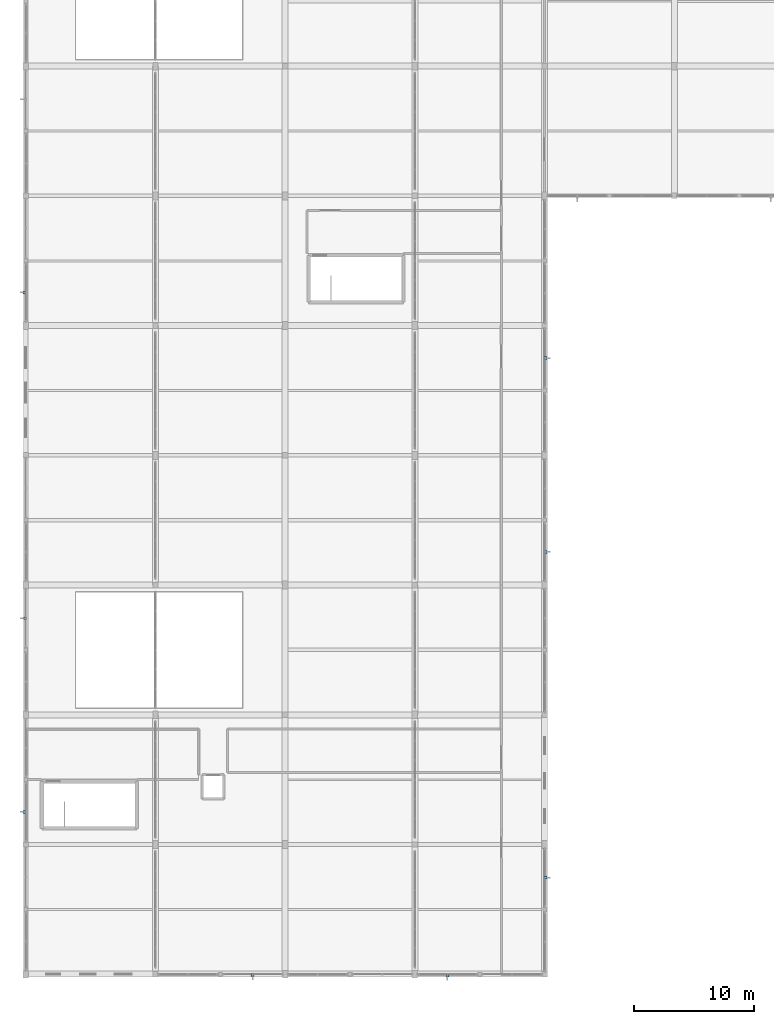
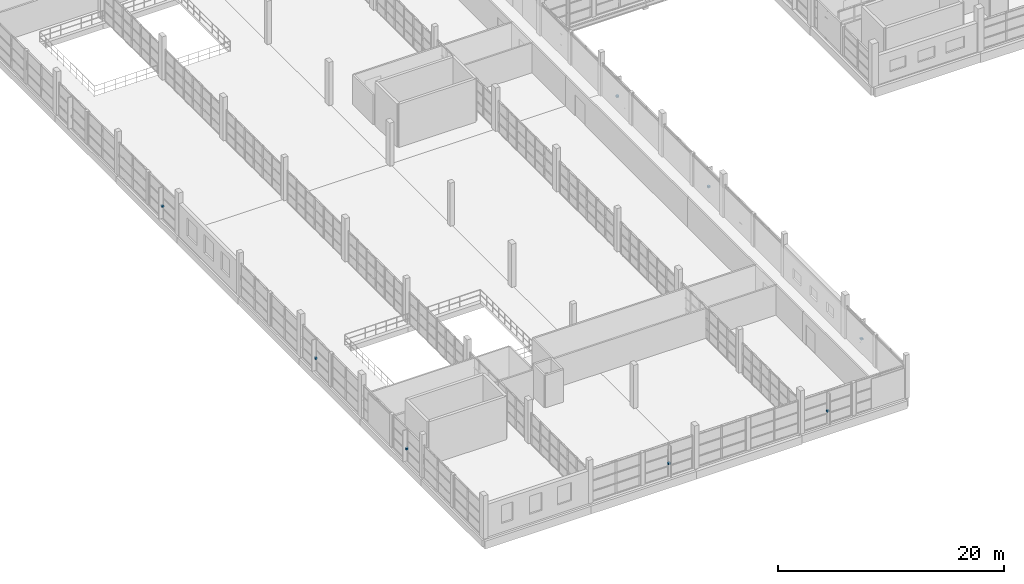
# One storey, part 121 of 142: 8 discrete accessories.
"""IFC4 building model written with IfcOpenShell, lengths in metres."""

from ifc_helpers import new_model, si_unit, direction, frame, origin, origin_2d, place, context, subcontext, project, spatial, rectangle, extrude, material, type_object, element, save


model = new_model("IFC4")

# Units and contexts
model_context = context("Model", 3, precision=1e-05, world=origin(), true_north=direction((0.0, 1.0)))
body_context = subcontext(model_context, "Body", "Model", "MODEL_VIEW")
ifc_project = project(units=[si_unit("LENGTHUNIT", "METRE"), si_unit("AREAUNIT", "SQUARE_METRE"), si_unit("VOLUMEUNIT", "CUBIC_METRE"), si_unit("PLANEANGLEUNIT", "RADIAN"), si_unit("MASSUNIT", "GRAM", prefix="KILO")], contexts=[model_context])

# Site, building, storey
site_placement = place(None, origin())
site = spatial("IfcSite", under=ifc_project, at=site_placement, CompositionType="ELEMENT")
building_placement = place(site_placement, origin())
building = spatial("IfcBuilding", under=site, at=building_placement, Name="Zwinboog Wholesale Market", CompositionType="ELEMENT")
storey_placement = place(building_placement, frame((0.0, 0.0, 5.39990234375)))
storey = spatial("IfcBuildingStorey", under=building, at=storey_placement, Name="L01", CompositionType="ELEMENT", Elevation=5.39990234375)

# Discrete accessories
ifc_material = material(Name="Steel S355", Category="steel")
discrete_accessory_type = type_object("IfcDiscreteAccessoryType", Name="ACC-BRK-S355", PredefinedType="BRACKET", material=ifc_material)
for number, where, z_axis, x_axis, name in (
    (1, (-0.090087890625, 13.510009765625, 1.31005859375), (0.0, 0.0, 1.0), (1.0, 0.0, 0.0), "BK-01 (ACC-FBRK-016)"),
    (2, (-0.074951171875, 29.639892578125, 1.31005859375), (0.0, 0.0, 1.0), (1.0, 0.0, 0.0), "BK-01 (ACC-FBRK-017)"),
    (3, (-0.090087890625, 56.760009765625, 1.31005859375), (0.0, 0.0, 1.0), (1.0, 0.0, 0.0), "BK-01 (ACC-FBRK-018)"),
    (4, (18.889892578125, -0.074951171875, 1.31005859375), (0.0, 0.0, 1.0), (1.0, 0.0, 0.0), "BK-01 (ACC-FBRK-021)"),
    (5, (35.110107421875, -0.090087890625, 1.31005859375), (0.0, 0.0, 1.0), (1.0, 0.0, 0.0), "BK-01 (ACC-FBRK-022)"),
    (6, (43.27490234375, 8.0400390625, 1.31005859375), (0.0, 0.0, 1.0), (1.0, 0.0, 0.0), "BK-01 (ACC-FBRK-023)"),
    (7, (43.2900390625, 35.159912109375, 1.31005859375), (0.0, 0.0, 1.0), (1.0, 0.0, 0.0), "BK-01 (ACC-FBRK-024)"),
    (8, (43.27490234375, 51.2900390625, 1.31005859375), (0.0, 0.0, 1.0), (1.0, 0.0, 0.0), "BK-01 (ACC-FBRK-025)"),
):
    element("IfcDiscreteAccessory", number, at=place(storey_placement, frame(where, z_axis=z_axis, x_axis=x_axis)), inside=storey, type_object=discrete_accessory_type, Name=name, PredefinedType="BRACKET", context=body_context, shape_type="SweptSolid", body=[
        extrude(rectangle(XDim=0.239990234375, YDim=0.239990234375, at=origin_2d()), origin(), (0.0, 0.0, 1.0), 0.179931640625),
    ])

save(model, "model.ifc")
